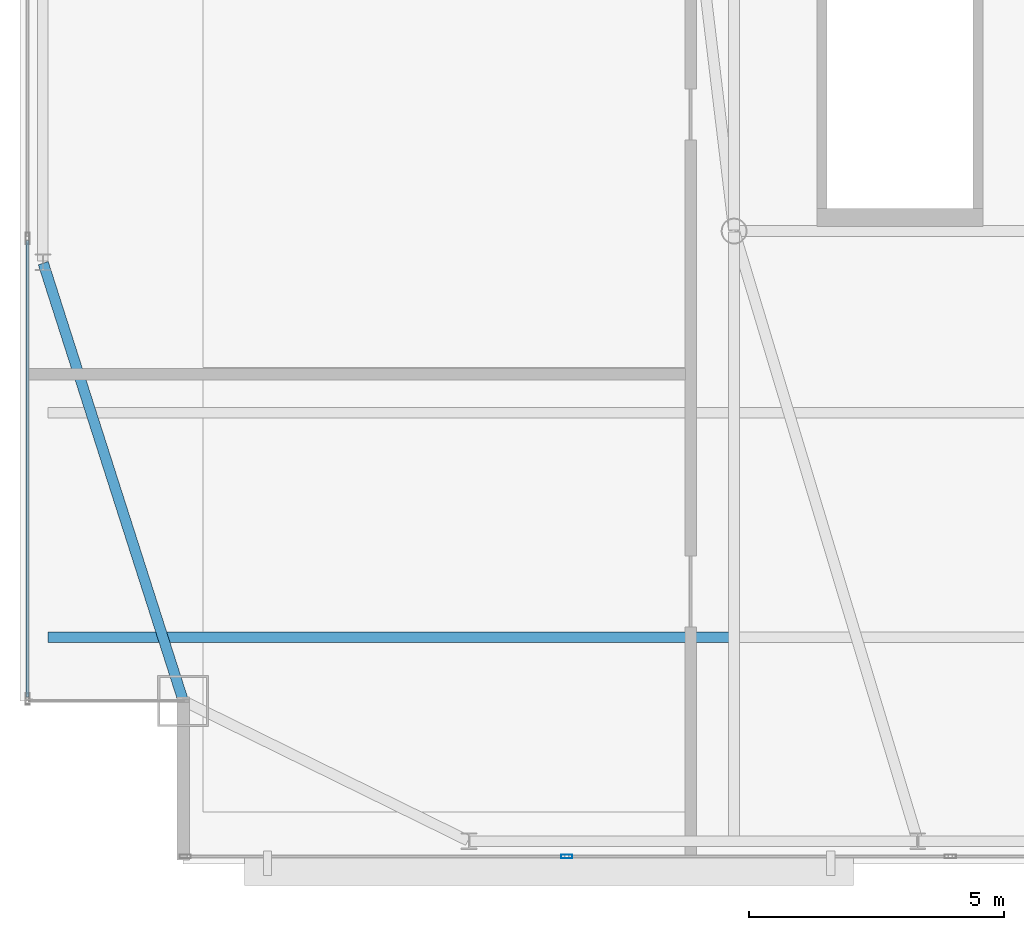
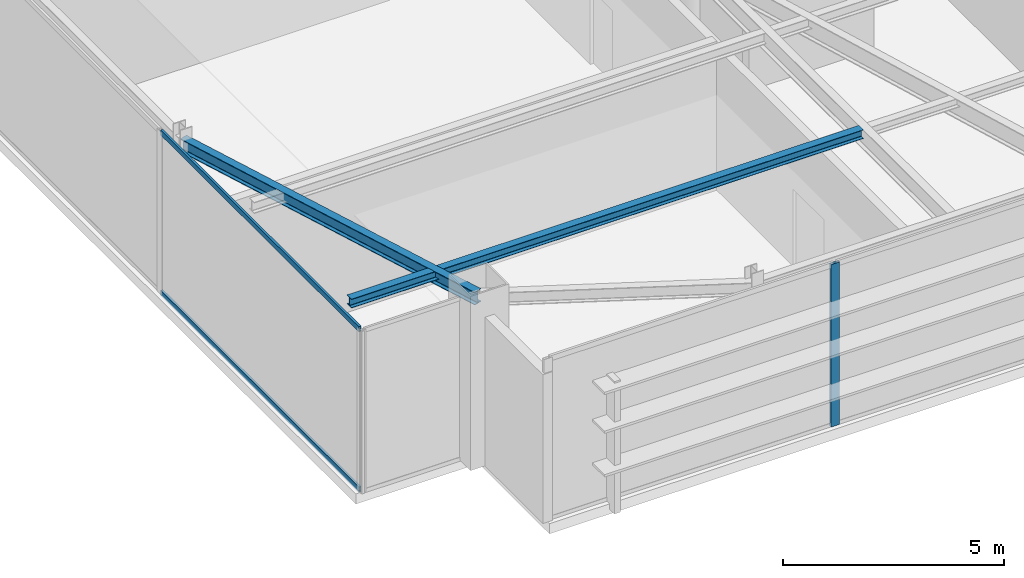
# One storey, part 5 of 20: 3 members, 2 beams, 2 elements without a shape of their own.
"""IFC4 building model written with IfcOpenShell, lengths in metres."""

from ifc_helpers import new_model, si_unit, direction, frame, origin, origin_2d, place, context, subcontext, project, spatial, hollow_rectangle, i_section, extrude, source, transform, mapped, material, layer, layer_set, material_profile, profile_set, type_object, type_shapes, element, aggregate, save


model = new_model("IFC4")

# Units and contexts
model_context = context("Model", 3, precision=1e-05, world=origin(), true_north=direction((0.0, 1.0)))
body_context = subcontext(model_context, "Body", "Model", "MODEL_VIEW")
ifc_project = project(units=[si_unit("LENGTHUNIT", "METRE"), si_unit("AREAUNIT", "SQUARE_METRE"), si_unit("VOLUMEUNIT", "CUBIC_METRE"), si_unit("PLANEANGLEUNIT", "RADIAN"), si_unit("MASSUNIT", "GRAM", prefix="KILO")], contexts=[model_context])

# Site, building, storey
site_placement = place(None, origin())
site = spatial("IfcSite", under=ifc_project, at=site_placement, CompositionType="ELEMENT")
building_placement = place(site_placement, origin())
building = spatial("IfcBuilding", under=site, at=building_placement, Name="Varnel Quay Broadcast Tower", CompositionType="ELEMENT")
storey_placement = place(building_placement, frame((0.0, 0.0, 309.800048828125)))
storey = spatial("IfcBuildingStorey", under=building, at=storey_placement, Name="L77", CompositionType="ELEMENT", Elevation=309.800048828125)

# Beams
ifc_material_1 = material(Name="Structural Steel CSA G40.21 350W", Category="steel")
ifc_material_profile_1 = material_profile(ifc_material_1, i_section(OverallWidth=0.205078125, OverallDepth=0.35400390625, WebThickness=0.009521484375, FlangeThickness=0.016845703125, FilletRadius=0.012939453125, at=origin_2d()), Name="W360X79")
ifc_profile_set_1 = profile_set([ifc_material_profile_1], Name="Structural Steel CSA G40.21 350W")
beam_type_1 = type_object("IfcBeamType", Name="Beam_W360X79", PredefinedType="SPANDREL", material=ifc_profile_set_1)
shared_shape_1 = source(origin(), body_context, "Body", "SweptSolid", [
    extrude(i_section(OverallWidth=0.205078125, OverallDepth=0.35400390625, WebThickness=0.009521484375, FlangeThickness=0.016845703125, FilletRadius=0.012939453125, at=origin_2d()), origin(), (0.0, 0.0, 1.0), 8.989013671875),
])
type_shapes(beam_type_1, [shared_shape_1])
beam_1_placement = place(storey_placement, frame((15.19384765625, 16.4189453125, 4.302978515625), z_axis=(-0.304568770162, 0.952490348635, 0.0), x_axis=(-0.952490348635, -0.304568770162, 0.0)))
element("IfcBeam", 1, at=beam_1_placement, inside=storey, type_object=beam_type_1, Name="L77 West Spandrel MC-SW-TC-W1", PredefinedType="SPANDREL", context=body_context, shape_type="MappedRepresentation", body=[
    mapped(shared_shape_1, transform((0.0, 0.0, 0.0), x_axis=(1.0, 0.0, 0.0), y_axis=(0.0, 1.0, 0.0), z_axis=(0.0, 0.0, 1.0), scale=1.0)),
])
ifc_material_profile_2 = material_profile(ifc_material_1, i_section(OverallWidth=0.201904296875, OverallDepth=0.2470703125, WebThickness=0.00732421875, FlangeThickness=0.010986328125, FilletRadius=0.010986328125, at=origin_2d()), Name="W250X49")
ifc_profile_set_2 = profile_set([ifc_material_profile_2], Name="Structural Steel CSA G40.21 350W")
beam_type_2 = type_object("IfcBeamType", Name="Beam_W250X49", PredefinedType="JOIST", material=ifc_profile_set_2)
shared_shape_2 = source(origin(), body_context, "Body", "SweptSolid", [
    extrude(i_section(OverallWidth=0.201904296875, OverallDepth=0.2470703125, WebThickness=0.00732421875, FlangeThickness=0.010986328125, FilletRadius=0.010986328125, at=origin_2d()), origin(), (0.0, 0.0, 1.0), 13.351318359375),
])
type_shapes(beam_type_2, [shared_shape_2])
beam_2_placement = place(storey_placement, frame((12.547607421875, 17.64990234375, 4.3564453125), z_axis=(1.0, 0.0, 0.0), x_axis=(0.0, 1.0, 0.0)))
element("IfcBeam", 2, at=beam_2_placement, inside=storey, type_object=beam_type_2, Name="L77 West Floor Joist 1", PredefinedType="JOIST", context=body_context, shape_type="MappedRepresentation", body=[
    mapped(shared_shape_2, transform((0.0, 0.0, 0.0), x_axis=(1.0, 0.0, 0.0), y_axis=(0.0, 1.0, 0.0), z_axis=(0.0, 0.0, 1.0), scale=1.0)),
])

# Curtain wall, members
ifc_material_2 = material(Name="Anodised Bronze Aluminium 6063-T6", Category="aluminium")
ifc_layer = layer(ifc_material_2, 0.18994140625, Name="Anodised Bronze Aluminium 6063-T6")
ifc_layer_set = layer_set([ifc_layer], Name="Anodised Bronze Aluminium 6063-T6")
curtain_wall_type = type_object("IfcCurtainWallType", Name="CW_SkyObsHighVis", PredefinedType="NOTDEFINED", material=ifc_layer_set)
curtain_wall_1_placement = place(storey_placement, origin())
curtain_wall_1 = element("IfcCurtainWall", 3, at=curtain_wall_1_placement, inside=storey, type_object=curtain_wall_type, Name="L77 West Unitised Curtain Wall", PredefinedType="NOTDEFINED")
ifc_material_profile_3 = material_profile(ifc_material_2, hollow_rectangle(XDim=0.06005859375, YDim=0.14501953125, WallThickness=0.00341796875, at=origin_2d()), Name="ALU60X145X3.5")
ifc_profile_set_3 = profile_set([ifc_material_profile_3], Name="Anodised Bronze Aluminium 6063-T6")
member_type_1 = type_object("IfcMemberType", Name="Tran_CWS-05", PredefinedType="USERDEFINED", material=ifc_profile_set_3)
shared_shape_3 = source(origin(), body_context, "Body", "SweptSolid", [
    extrude(hollow_rectangle(XDim=0.06005859375, YDim=0.14501953125, WallThickness=0.00341796875, at=origin_2d()), origin(), (0.0, 0.0, 1.0), 8.9541015625),
])
type_shapes(member_type_1, [shared_shape_3])
member_1_placement = place(storey_placement, frame((12.14990234375, 16.47509765625, 0.030029296875), z_axis=(0.0, 1.0, 0.0), x_axis=(-1.0, 0.0, 0.0)))
member_1 = element("IfcMember", 4, at=member_1_placement, type_object=member_type_1, Name="CWS-05 transom 1.1", ObjectType="TRANSOM", PredefinedType="USERDEFINED", context=body_context, shape_type="MappedRepresentation", body=[
    mapped(shared_shape_3, transform((0.0, 0.0, 0.0), x_axis=(1.0, 0.0, 0.0), y_axis=(0.0, 1.0, 0.0), z_axis=(0.0, 0.0, 1.0), scale=1.0)),
])
member_2_placement = place(storey_placement, frame((12.14990234375, 16.47509765625, 4.449951171875), z_axis=(0.0, 1.0, 0.0), x_axis=(-1.0, 0.0, 0.0)))
member_2 = element("IfcMember", 5, at=member_2_placement, type_object=member_type_1, Name="CWS-05 transom 1.2", ObjectType="TRANSOM", PredefinedType="USERDEFINED", context=body_context, shape_type="MappedRepresentation", body=[
    mapped(shared_shape_3, transform((0.0, 0.0, 0.0), x_axis=(1.0, 0.0, 0.0), y_axis=(0.0, 1.0, 0.0), z_axis=(0.0, 0.0, 1.0), scale=1.0)),
])
aggregate(curtain_wall_1, [member_1, member_2])

# Curtain wall, member
curtain_wall_2_placement = place(storey_placement, origin())
curtain_wall_2 = element("IfcCurtainWall", 6, at=curtain_wall_2_placement, inside=storey, type_object=curtain_wall_type, Name="L77 South Unitised Curtain Wall 1", PredefinedType="NOTDEFINED")
ifc_material_profile_4 = material_profile(ifc_material_2, hollow_rectangle(XDim=0.074951171875, YDim=0.219970703125, WallThickness=0.00390625, at=origin_2d()), Name="ALU75X220X4")
ifc_profile_set_4 = profile_set([ifc_material_profile_4], Name="Anodised Bronze Aluminium 6063-T6")
member_type_2 = type_object("IfcMemberType", Name="Mull_CWS-05", PredefinedType="MULLION", material=ifc_profile_set_4)
shared_shape_4 = source(origin(), body_context, "Body", "SweptSolid", [
    extrude(hollow_rectangle(XDim=0.074951171875, YDim=0.219970703125, WallThickness=0.00390625, at=origin_2d()), origin(), (0.0, 0.0, 1.0), 4.47998046875),
])
type_shapes(member_type_2, [shared_shape_4])
member_3_placement = place(storey_placement, frame((22.719970703125, 13.35009765625, 0.0), z_axis=(0.0, 0.0, 1.0), x_axis=(0.0, 1.0, 0.0)))
member_3 = element("IfcMember", 7, at=member_3_placement, type_object=member_type_2, Name="CWS-05 mullion 2", PredefinedType="MULLION", context=body_context, shape_type="MappedRepresentation", body=[
    mapped(shared_shape_4, transform((0.0, 0.0, 0.0), x_axis=(1.0, 0.0, 0.0), y_axis=(0.0, 1.0, 0.0), z_axis=(0.0, 0.0, 1.0), scale=1.0)),
])
aggregate(curtain_wall_2, [member_3])

save(model, "model.ifc")
